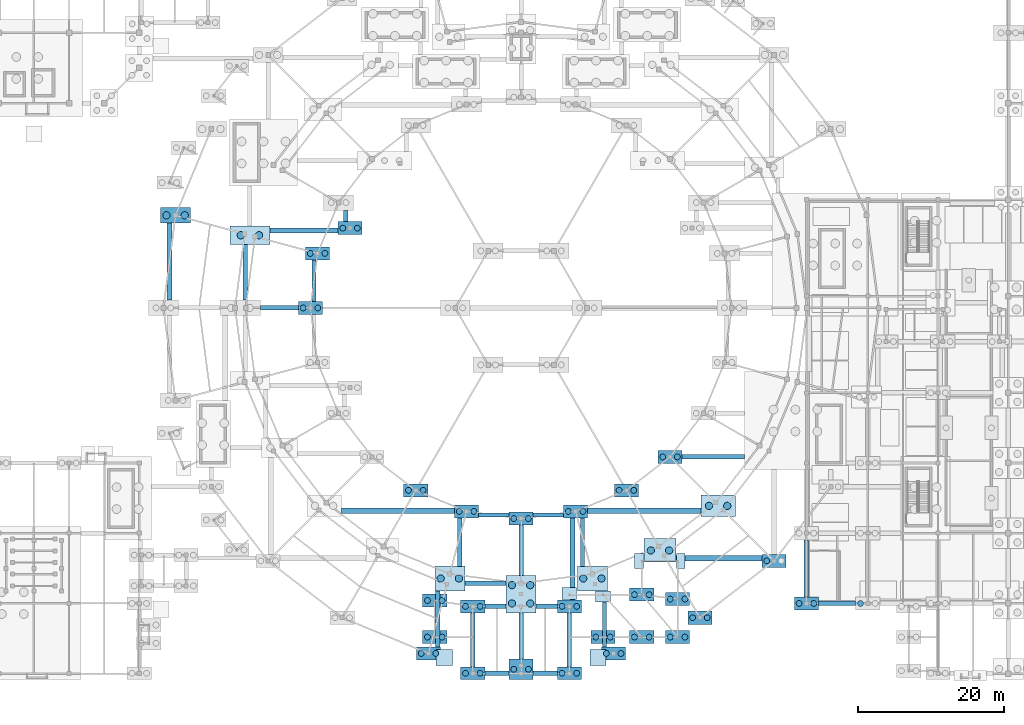
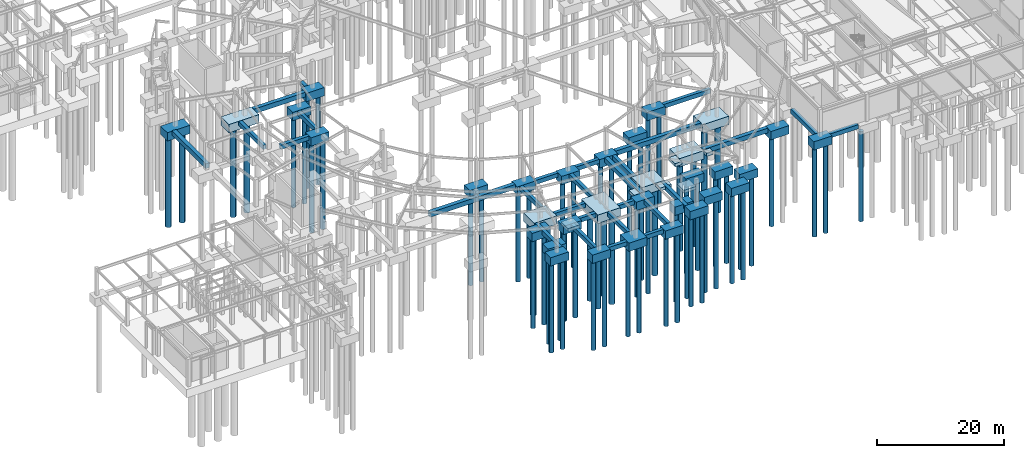
# One storey, part 2 of 55: 68 piles, 67 footings.
"""IFC4 building model written with IfcOpenShell, lengths in metres."""

from ifc_helpers import new_model, si_unit, direction, frame, origin, origin_2d, place, context, subcontext, project, spatial, rectangle, circle, extrude, material, material_profile, profile_set, type_object, element, save


model = new_model("IFC4")

# Units and contexts
model_context = context("Model", 3, precision=1e-05, world=origin(), true_north=direction((0.0, 1.0)))
body_context = subcontext(model_context, "Body", "Model", "MODEL_VIEW")
ifc_project = project(units=[si_unit("LENGTHUNIT", "METRE"), si_unit("AREAUNIT", "SQUARE_METRE"), si_unit("VOLUMEUNIT", "CUBIC_METRE"), si_unit("PLANEANGLEUNIT", "RADIAN"), si_unit("MASSUNIT", "GRAM", prefix="KILO")], contexts=[model_context])

# Site, building, storey
site_placement = place(None, origin())
site = spatial("IfcSite", under=ifc_project, at=site_placement, CompositionType="ELEMENT")
building_placement = place(site_placement, origin())
building = spatial("IfcBuilding", under=site, at=building_placement, Name="Almandine Court Research Institute", CompositionType="ELEMENT")
storey_placement = place(building_placement, frame((0.0, 0.0, -5.25)))
storey = spatial("IfcBuildingStorey", under=building, at=storey_placement, Name="B1", CompositionType="ELEMENT", Elevation=-5.25)

# Footings
ifc_material = material(Name="Concrete C35/45", Category="concrete")
footing_type_1 = type_object("IfcFootingType", Name="Cap-PC-03", PredefinedType="PILE_CAP", material=ifc_material)
for number, where, z_axis, x_axis, name in (
    (1, (80.39990234375, 6.050048828125, -1.60009765625), (0.0, 0.0, 1.0), (1.0, 0.0, 0.0), "Reinforced Concrete Pile Cap 006"),
    (2, (93.60009765625, 6.050048828125, -1.60009765625), (0.0, 0.0, 1.0), (1.0, 0.0, 0.0), "Reinforced Concrete Pile Cap 008"),
):
    element("IfcFooting", number, at=place(storey_placement, frame(where, z_axis=z_axis, x_axis=x_axis)), inside=storey, type_object=footing_type_1, Name=name, PredefinedType="PILE_CAP", context=body_context, shape_type="SweptSolid", body=[
        extrude(rectangle(XDim=3.300048828125, YDim=1.699951171875, at=origin_2d()), origin(), (0.0, 0.0, 1.0), 1.60009765625),
    ])
footing_type_2 = type_object("IfcFootingType", Name="Cap-PC-04", PredefinedType="PILE_CAP", material=ifc_material)
footing_1_placement = place(storey_placement, frame((87.0, 6.60009765625, -1.60009765625), z_axis=(0.0, 0.0, 1.0), x_axis=(1.0, 0.0, 0.0)))
element("IfcFooting", 3, at=footing_1_placement, inside=storey, type_object=footing_type_2, Name="Reinforced Concrete Pile Cap 007", PredefinedType="PILE_CAP", context=body_context, shape_type="SweptSolid", body=[
    extrude(rectangle(XDim=3.300048828125, YDim=2.800048828125, at=origin_2d()), origin(), (0.0, 0.0, 1.0), 1.60009765625),
])
footing_type_3 = type_object("IfcFootingType", Name="Cap-PC-05", PredefinedType="PILE_CAP", material=ifc_material)
for number, where, z_axis, x_axis, name in (
    (4, (74.343994140625, 8.76611328125, -1.60009765625), (0.0, 0.0, 1.0), (1.0, 0.0, 0.0), "Reinforced Concrete Pile Cap 010"),
    (5, (99.656005859375, 8.76611328125, -1.60009765625), (0.0, 0.0, 1.0), (1.0, 0.0, 0.0), "Reinforced Concrete Pile Cap 011"),
    (6, (111.449951171875, 13.65087890625, -1.60009765625), (0.0, 0.0, 1.0), (1.0, 0.0, 0.0), "Reinforced Concrete Pile Cap 013"),
    (7, (80.39990234375, 15.199951171875, -1.60009765625), (0.0, 0.0, 1.0), (1.0, 0.0, 0.0), "Reinforced Concrete Pile Cap 017"),
    (8, (93.60009765625, 15.199951171875, -1.60009765625), (0.0, 0.0, 1.0), (1.0, 0.0, 0.0), "Reinforced Concrete Pile Cap 019"),
    (9, (126.0, 15.60009765625, -1.60009765625), (0.0, 0.0, 1.0), (1.0, 0.0, 0.0), "Reinforced Concrete Pile Cap 021"),
    (10, (121.577880859375, 21.422119140625, -1.60009765625), (0.0, 0.0, 1.0), (1.0, 0.0, 0.0), "Reinforced Concrete Pile Cap 029"),
    (11, (87.0, 27.199951171875, -1.60009765625), (0.0, 0.0, 1.0), (1.0, 0.0, 0.0), "Reinforced Concrete Pile Cap 040"),
    (12, (79.5458984375, 28.180908203125, -1.60009765625), (0.0, 0.0, 1.0), (1.0, 0.0, 0.0), "Reinforced Concrete Pile Cap 041"),
    (13, (94.4541015625, 28.180908203125, -1.60009765625), (0.0, 0.0, 1.0), (1.0, 0.0, 0.0), "Reinforced Concrete Pile Cap 042"),
    (14, (72.60009765625, 31.05810546875, -1.60009765625), (0.0, 0.0, 1.0), (1.0, 0.0, 0.0), "Reinforced Concrete Pile Cap 045"),
    (15, (101.39990234375, 31.05810546875, -1.60009765625), (0.0, 0.0, 1.0), (1.0, 0.0, 0.0), "Reinforced Concrete Pile Cap 046"),
    (16, (107.364990234375, 35.635009765625, -1.60009765625), (0.0, 0.0, 1.0), (1.0, 0.0, 0.0), "Reinforced Concrete Pile Cap 058"),
    (17, (58.199951171875, 56.0, -1.60009765625), (0.0, 0.0, 1.0), (1.0, 0.0, 0.0), "Reinforced Concrete Pile Cap 085"),
    (18, (59.180908203125, 63.4541015625, -1.60009765625), (0.0, 0.0, 1.0), (1.0, 0.0, 0.0), "Reinforced Concrete Pile Cap 089"),
    (19, (63.616943359375, 66.904052734375, -1.60009765625), (0.0, 0.0, 1.0), (1.0, 0.0, 0.0), "Reinforced Concrete Pile Cap 093"),
):
    element("IfcFooting", number, at=place(storey_placement, frame(where, z_axis=z_axis, x_axis=x_axis)), inside=storey, type_object=footing_type_3, Name=name, PredefinedType="PILE_CAP", context=body_context, shape_type="SweptSolid", body=[
        extrude(rectangle(XDim=3.300048828125, YDim=1.800048828125, at=origin_2d()), origin(), (0.0, 0.0, 1.0), 1.60009765625),
    ])
footing_type_4 = type_object("IfcFootingType", Name="Cap-PC-08", PredefinedType="PILE_CAP", material=ifc_material)
footing_2_placement = place(storey_placement, frame((87.0, 16.85009765625, -1.60009765625), z_axis=(0.0, 0.0, 1.0), x_axis=(1.0, 0.0, 0.0)))
element("IfcFooting", 20, at=footing_2_placement, inside=storey, type_object=footing_type_4, Name="Reinforced Concrete Pile Cap 018", PredefinedType="PILE_CAP", context=body_context, shape_type="SweptSolid", body=[
    extrude(rectangle(XDim=4.10009765625, YDim=5.10009765625, at=origin_2d()), origin(), (0.0, 0.0, 1.0), 1.60009765625),
])
footing_type_5 = type_object("IfcFootingType", Name="Cap-PC-09", PredefinedType="PILE_CAP", material=ifc_material)
for number, where, z_axis, x_axis, name in (
    (21, (77.2548828125, 19.008056640625, -1.60009765625), (0.0, 0.0, 1.0), (1.0, 0.0, 0.0), "Reinforced Concrete Pile Cap 026"),
    (22, (96.7451171875, 19.008056640625, -1.60009765625), (0.0, 0.0, 1.0), (1.0, 0.0, 0.0), "Reinforced Concrete Pile Cap 027"),
):
    element("IfcFooting", number, at=place(storey_placement, frame(where, z_axis=z_axis, x_axis=x_axis)), inside=storey, type_object=footing_type_5, Name=name, PredefinedType="PILE_CAP", context=body_context, shape_type="SweptSolid", body=[
        extrude(rectangle(XDim=4.10009765625, YDim=3.35107421875, at=origin_2d()), origin(), (0.0, 0.0, 1.0), 1.60009765625),
    ])
footing_type_6 = type_object("IfcFootingType", Name="Cap-PC-10", PredefinedType="PILE_CAP", material=ifc_material)
footing_3_placement = place(storey_placement, frame((105.988037109375, 22.841064453125, -1.60009765625), z_axis=(0.0, 0.0, 1.0), x_axis=(1.0, 0.0, 0.0)))
element("IfcFooting", 23, at=footing_3_placement, inside=storey, type_object=footing_type_6, Name="Reinforced Concrete Pile Cap 031", PredefinedType="PILE_CAP", context=body_context, shape_type="SweptSolid", body=[
    extrude(rectangle(XDim=4.425048828125, YDim=3.2060546875, at=origin_2d()), origin(), (0.0, 0.0, 1.0), 1.60009765625),
])
footing_type_7 = type_object("IfcFootingType", Name="Cap-PC-13", PredefinedType="PILE_CAP", material=ifc_material)
footing_4_placement = place(storey_placement, frame((113.93505859375, 28.93994140625, -1.60009765625), z_axis=(0.0, 0.0, 1.0), x_axis=(1.0, 0.0, 0.0)))
element("IfcFooting", 24, at=footing_4_placement, inside=storey, type_object=footing_type_7, Name="Reinforced Concrete Pile Cap 044", PredefinedType="PILE_CAP", context=body_context, shape_type="SweptSolid", body=[
    extrude(rectangle(XDim=4.72509765625, YDim=2.97509765625, at=origin_2d()), origin(), (0.0, 0.0, 1.0), 1.60009765625),
])
footing_type_8 = type_object("IfcFootingType", Name="Cap-PC-21", PredefinedType="PILE_CAP", material=ifc_material)
footing_5_placement = place(storey_placement, frame((49.93310546875, 65.93310546875, -1.60009765625), z_axis=(0.0, 0.0, 1.0), x_axis=(1.0, 0.0, 0.0)))
element("IfcFooting", 25, at=footing_5_placement, inside=storey, type_object=footing_type_8, Name="Reinforced Concrete Pile Cap 092", PredefinedType="PILE_CAP", context=body_context, shape_type="SweptSolid", body=[
    extrude(rectangle(XDim=5.5009765625, YDim=2.47509765625, at=origin_2d()), origin(), (0.0, 0.0, 1.0), 1.60009765625),
])
footing_type_9 = type_object("IfcFootingType", Name="Cap-PC-27", PredefinedType="PILE_CAP", material=ifc_material)
footing_6_placement = place(storey_placement, frame((39.76611328125, 68.656005859375, -1.60009765625), z_axis=(0.0, 0.0, 1.0), x_axis=(1.0, 0.0, 0.0)))
element("IfcFooting", 26, at=footing_6_placement, inside=storey, type_object=footing_type_9, Name="Reinforced Concrete Pile Cap 095", PredefinedType="PILE_CAP", context=body_context, shape_type="SweptSolid", body=[
    extrude(rectangle(XDim=4.10009765625, YDim=2.10009765625, at=origin_2d()), origin(), (0.0, 0.0, 1.0), 1.60009765625),
])
footing_type_10 = type_object("IfcFootingType", Name="Cap-PC-S01", PredefinedType="PILE_CAP", material=ifc_material)
for number, where, z_axis, x_axis, name in (
    (27, (103.5, 16.800048828125, -1.60009765625), (0.0, 0.0, 1.0), (1.0, 0.0, 0.0), "Supplemental Threshold Pile Cap 001"),
    (28, (75.199951171875, 11.0, -1.60009765625), (0.0, 0.0, 1.0), (1.0, 0.0, 0.0), "Supplemental Threshold Pile Cap 009"),
    (29, (75.199951171875, 16.0, -1.60009765625), (0.0, 0.0, 1.0), (1.0, 0.0, 0.0), "Supplemental Threshold Pile Cap 010"),
    (30, (98.199951171875, 11.0, -1.60009765625), (0.0, 0.0, 1.0), (1.0, 0.0, 0.0), "Supplemental Threshold Pile Cap 011"),
    (31, (103.5, 11.0, -1.60009765625), (0.0, 0.0, 1.0), (1.0, 0.0, 0.0), "Supplemental Threshold Pile Cap 012"),
    (32, (108.39990234375, 11.0, -1.60009765625), (0.0, 0.0, 1.0), (1.0, 0.0, 0.0), "Supplemental Threshold Pile Cap 013"),
    (33, (108.39990234375, 16.199951171875, -1.60009765625), (0.0, 0.0, 1.0), (1.0, 0.0, 0.0), "Supplemental Threshold Pile Cap 014"),
):
    element("IfcFooting", number, at=place(storey_placement, frame(where, z_axis=z_axis, x_axis=x_axis)), inside=storey, type_object=footing_type_10, Name=name, PredefinedType="PILE_CAP", context=body_context, shape_type="SweptSolid", body=[
        extrude(rectangle(XDim=3.300048828125, YDim=1.800048828125, at=origin_2d()), origin(), (0.0, 0.0, 1.0), 1.60009765625),
    ])
footing_type_11 = type_object("IfcFootingType", Name="Pad-PF1", PredefinedType="PAD_FOOTING", material=ifc_material)
for number, where, z_axis, x_axis, name in (
    (34, (76.5, 8.199951171875, 4.5), (0.0, 0.0, 1.0), (1.0, 0.0, 0.0), "Accessible Ramp Base Pad Footing 1"),
    (35, (97.5, 8.199951171875, 4.5), (0.0, 0.0, 1.0), (1.0, 0.0, 0.0), "Accessible Ramp Base Pad Footing 2"),
):
    element("IfcFooting", number, at=place(storey_placement, frame(where, z_axis=z_axis, x_axis=x_axis)), inside=storey, type_object=footing_type_11, Name=name, PredefinedType="PAD_FOOTING", context=body_context, shape_type="SweptSolid", body=[
        extrude(rectangle(XDim=2.199951171875, YDim=2.199951171875, at=origin_2d()), origin(), (0.0, 0.0, 1.0), 0.60009765625),
    ])
footing_7_placement = place(storey_placement, frame((93.60009765625, 16.965087890625, -0.60009765625), z_axis=(0.0, 0.0, 1.0), x_axis=(1.0, 0.0, 0.0)))
element("IfcFooting", 36, at=footing_7_placement, inside=storey, type_object=footing_type_11, Name="Reinforced Concrete Pad Footing PAD-PSH-E-IN0", PredefinedType="PAD_FOOTING", context=body_context, shape_type="SweptSolid", body=[
    extrude(rectangle(XDim=2.0, YDim=1.669921875, at=origin_2d()), origin(), (0.0, 0.0, 1.0), 0.60009765625),
])
footing_8_placement = place(storey_placement, frame((98.199951171875, 16.551025390625, -0.60009765625), z_axis=(0.0, 0.0, 1.0), x_axis=(1.0, 0.0, 0.0)))
element("IfcFooting", 37, at=footing_8_placement, inside=storey, type_object=footing_type_11, Name="Reinforced Concrete Pad Footing PAD-PSH-E-IN1", PredefinedType="PAD_FOOTING", context=body_context, shape_type="SweptSolid", body=[
    extrude(rectangle(XDim=2.0, YDim=1.501953125, at=origin_2d()), origin(), (0.0, 0.0, 1.0), 0.60009765625),
])
footing_9_placement = place(storey_placement, frame((103.123046875, 21.39990234375, -0.60009765625), z_axis=(0.0, 0.0, 1.0), x_axis=(1.0, 0.0, 0.0)))
element("IfcFooting", 38, at=footing_9_placement, inside=storey, type_object=footing_type_11, Name="Reinforced Concrete Pad Footing PAD-PSH-E-IN3", PredefinedType="PAD_FOOTING", context=body_context, shape_type="SweptSolid", body=[
    extrude(rectangle(XDim=1.2451171875, YDim=2.0, at=origin_2d()), origin(), (0.0, 0.0, 1.0), 0.60009765625),
])
footing_10_placement = place(storey_placement, frame((108.81494140625, 21.39990234375, -0.60009765625), z_axis=(0.0, 0.0, 1.0), x_axis=(1.0, 0.0, 0.0)))
element("IfcFooting", 39, at=footing_10_placement, inside=storey, type_object=footing_type_11, Name="Reinforced Concrete Pad Footing PAD-PSH-E-C5", PredefinedType="PAD_FOOTING", context=body_context, shape_type="SweptSolid", body=[
    extrude(rectangle(XDim=1.1689453125, YDim=2.0, at=origin_2d()), origin(), (0.0, 0.0, 1.0), 0.60009765625),
])

# Piles
ifc_material_profile_1 = material_profile(ifc_material, circle(Radius=0.5, at=origin_2d()), Name="BORED PILE D1000")
ifc_profile_set_1 = profile_set([ifc_material_profile_1], Name="Concrete C35/45")
pile_type_1 = type_object("IfcPileType", Name="Pile-BP-1000", PredefinedType="BORED", material=ifc_profile_set_1)
for number, where, z_axis, x_axis, name in (
    (40, (85.75, 15.60009765625, -1.5), (0.0, 0.0, -1.0), (1.0, 0.0, 0.0), "Bored Pile 018-1"),
    (41, (85.75, 18.10009765625, -1.5), (0.0, 0.0, -1.0), (1.0, 0.0, 0.0), "Bored Pile 018-2"),
    (42, (88.25, 15.60009765625, -1.5), (0.0, 0.0, -1.0), (1.0, 0.0, 0.0), "Bored Pile 018-3"),
    (43, (88.25, 18.10009765625, -1.5), (0.0, 0.0, -1.0), (1.0, 0.0, 0.0), "Bored Pile 018-4"),
    (44, (76.0048828125, 19.008056640625, -1.5), (0.0, 0.0, -1.0), (1.0, 0.0, 0.0), "Bored Pile 026-1"),
    (45, (78.5048828125, 19.008056640625, -1.5), (0.0, 0.0, -1.0), (1.0, 0.0, 0.0), "Bored Pile 026-2"),
    (46, (95.4951171875, 19.008056640625, -1.5), (0.0, 0.0, -1.0), (1.0, 0.0, 0.0), "Bored Pile 027-1"),
    (47, (97.9951171875, 19.008056640625, -1.5), (0.0, 0.0, -1.0), (1.0, 0.0, 0.0), "Bored Pile 027-2"),
    (48, (104.738037109375, 22.841064453125, -1.5), (0.0, 0.0, -1.0), (1.0, 0.0, 0.0), "Bored Pile 031-1"),
    (49, (107.238037109375, 22.841064453125, -1.5), (0.0, 0.0, -1.0), (1.0, 0.0, 0.0), "Bored Pile 031-2"),
    (50, (112.68505859375, 28.93994140625, -1.5), (0.0, 0.0, -1.0), (1.0, 0.0, 0.0), "Bored Pile 044-1"),
    (51, (115.18505859375, 28.93994140625, -1.5), (0.0, 0.0, -1.0), (1.0, 0.0, 0.0), "Bored Pile 044-2"),
    (52, (48.68310546875, 65.93310546875, -1.5), (0.0, 0.0, -1.0), (1.0, 0.0, 0.0), "Bored Pile 092-1"),
    (53, (51.18310546875, 65.93310546875, -1.5), (0.0, 0.0, -1.0), (1.0, 0.0, 0.0), "Bored Pile 092-2"),
    (54, (38.51611328125, 68.656005859375, -1.5), (0.0, 0.0, -1.0), (1.0, 0.0, 0.0), "Bored Pile 095-1"),
    (55, (41.01611328125, 68.656005859375, -1.5), (0.0, 0.0, -1.0), (1.0, 0.0, 0.0), "Bored Pile 095-2"),
):
    element("IfcPile", number, at=place(storey_placement, frame(where, z_axis=z_axis, x_axis=x_axis)), inside=storey, type_object=pile_type_1, Name=name, PredefinedType="BORED", context=body_context, shape_type="SweptSolid", body=[
        extrude(circle(Radius=0.5, at=origin_2d()), origin(), (0.0, 0.0, 1.0), 17.25),
    ])
ifc_material_profile_2 = material_profile(ifc_material, circle(Radius=0.39990234375, at=origin_2d()), Name="BORED PILE D800")
ifc_profile_set_2 = profile_set([ifc_material_profile_2], Name="Concrete C35/45")
pile_type_2 = type_object("IfcPileType", Name="Pile-BP-800", PredefinedType="BORED", material=ifc_profile_set_2)
for number, where, z_axis, x_axis, name in (
    (56, (79.39990234375, 6.050048828125, -1.5), (0.0, 0.0, -1.0), (1.0, 0.0, 0.0), "Bored Pile 006-1"),
    (57, (81.39990234375, 6.050048828125, -1.5), (0.0, 0.0, -1.0), (1.0, 0.0, 0.0), "Bored Pile 006-2"),
    (58, (86.0, 6.60009765625, -1.5), (0.0, 0.0, -1.0), (1.0, 0.0, 0.0), "Bored Pile 007-1"),
    (59, (88.0, 6.60009765625, -1.5), (0.0, 0.0, -1.0), (1.0, 0.0, 0.0), "Bored Pile 007-2"),
    (60, (92.60009765625, 6.050048828125, -1.5), (0.0, 0.0, -1.0), (1.0, 0.0, 0.0), "Bored Pile 008-1"),
    (61, (94.60009765625, 6.050048828125, -1.5), (0.0, 0.0, -1.0), (1.0, 0.0, 0.0), "Bored Pile 008-2"),
    (62, (73.343994140625, 8.76611328125, -1.5), (0.0, 0.0, -1.0), (1.0, 0.0, 0.0), "Bored Pile 010-1"),
    (63, (75.343994140625, 8.76611328125, -1.5), (0.0, 0.0, -1.0), (1.0, 0.0, 0.0), "Bored Pile 010-2"),
    (64, (98.656005859375, 8.76611328125, -1.5), (0.0, 0.0, -1.0), (1.0, 0.0, 0.0), "Bored Pile 011-1"),
    (65, (100.656005859375, 8.76611328125, -1.5), (0.0, 0.0, -1.0), (1.0, 0.0, 0.0), "Bored Pile 011-2"),
    (66, (110.449951171875, 13.65087890625, -1.5), (0.0, 0.0, -1.0), (1.0, 0.0, 0.0), "Bored Pile 013-1"),
    (67, (112.449951171875, 13.65087890625, -1.5), (0.0, 0.0, -1.0), (1.0, 0.0, 0.0), "Bored Pile 013-2"),
    (68, (79.39990234375, 15.199951171875, -1.5), (0.0, 0.0, -1.0), (1.0, 0.0, 0.0), "Bored Pile 017-1"),
    (69, (81.39990234375, 15.199951171875, -1.5), (0.0, 0.0, -1.0), (1.0, 0.0, 0.0), "Bored Pile 017-2"),
    (70, (92.60009765625, 15.199951171875, -1.5), (0.0, 0.0, -1.0), (1.0, 0.0, 0.0), "Bored Pile 019-1"),
    (71, (94.60009765625, 15.199951171875, -1.5), (0.0, 0.0, -1.0), (1.0, 0.0, 0.0), "Bored Pile 019-2"),
    (72, (125.0, 15.60009765625, -1.5), (0.0, 0.0, -1.0), (1.0, 0.0, 0.0), "Bored Pile 021-1"),
    (73, (127.0, 15.60009765625, -1.5), (0.0, 0.0, -1.0), (1.0, 0.0, 0.0), "Bored Pile 021-2"),
    (74, (133.39990234375, 15.60009765625, -1.5), (0.0, 0.0, -1.0), (1.0, 0.0, 0.0), "Bored Pile 022-1"),
    (75, (120.577880859375, 21.422119140625, -1.5), (0.0, 0.0, -1.0), (1.0, 0.0, 0.0), "Bored Pile 029-1"),
    (76, (86.0, 27.199951171875, -1.5), (0.0, 0.0, -1.0), (1.0, 0.0, 0.0), "Bored Pile 040-1"),
    (77, (88.0, 27.199951171875, -1.5), (0.0, 0.0, -1.0), (1.0, 0.0, 0.0), "Bored Pile 040-2"),
    (78, (78.5458984375, 28.180908203125, -1.5), (0.0, 0.0, -1.0), (1.0, 0.0, 0.0), "Bored Pile 041-1"),
    (79, (80.5458984375, 28.180908203125, -1.5), (0.0, 0.0, -1.0), (1.0, 0.0, 0.0), "Bored Pile 041-2"),
    (80, (93.4541015625, 28.180908203125, -1.5), (0.0, 0.0, -1.0), (1.0, 0.0, 0.0), "Bored Pile 042-1"),
    (81, (95.4541015625, 28.180908203125, -1.5), (0.0, 0.0, -1.0), (1.0, 0.0, 0.0), "Bored Pile 042-2"),
    (82, (71.60009765625, 31.05810546875, -1.5), (0.0, 0.0, -1.0), (1.0, 0.0, 0.0), "Bored Pile 045-1"),
    (83, (73.60009765625, 31.05810546875, -1.5), (0.0, 0.0, -1.0), (1.0, 0.0, 0.0), "Bored Pile 045-2"),
    (84, (100.39990234375, 31.05810546875, -1.5), (0.0, 0.0, -1.0), (1.0, 0.0, 0.0), "Bored Pile 046-1"),
    (85, (102.39990234375, 31.05810546875, -1.5), (0.0, 0.0, -1.0), (1.0, 0.0, 0.0), "Bored Pile 046-2"),
    (86, (106.364990234375, 35.635009765625, -1.5), (0.0, 0.0, -1.0), (1.0, 0.0, 0.0), "Bored Pile 058-1"),
    (87, (108.364990234375, 35.635009765625, -1.5), (0.0, 0.0, -1.0), (1.0, 0.0, 0.0), "Bored Pile 058-2"),
    (88, (57.199951171875, 56.0, -1.5), (0.0, 0.0, -1.0), (1.0, 0.0, 0.0), "Bored Pile 085-1"),
    (89, (59.199951171875, 56.0, -1.5), (0.0, 0.0, -1.0), (1.0, 0.0, 0.0), "Bored Pile 085-2"),
    (90, (58.180908203125, 63.4541015625, -1.5), (0.0, 0.0, -1.0), (1.0, 0.0, 0.0), "Bored Pile 089-1"),
    (91, (60.180908203125, 63.4541015625, -1.5), (0.0, 0.0, -1.0), (1.0, 0.0, 0.0), "Bored Pile 089-2"),
    (92, (62.616943359375, 66.904052734375, -1.5), (0.0, 0.0, -1.0), (1.0, 0.0, 0.0), "Bored Pile 093-1"),
    (93, (64.616943359375, 66.904052734375, -1.5), (0.0, 0.0, -1.0), (1.0, 0.0, 0.0), "Bored Pile 093-2"),
    (94, (102.5, 16.800048828125, -1.5), (0.0, 0.0, -1.0), (1.0, 0.0, 0.0), "Supplemental Bored Pile 001-1"),
    (95, (104.5, 16.800048828125, -1.5), (0.0, 0.0, -1.0), (1.0, 0.0, 0.0), "Supplemental Bored Pile 001-2"),
    (96, (74.199951171875, 11.0, -1.5), (0.0, 0.0, -1.0), (1.0, 0.0, 0.0), "Supplemental Bored Pile 009-1"),
    (97, (76.199951171875, 11.0, -1.5), (0.0, 0.0, -1.0), (1.0, 0.0, 0.0), "Supplemental Bored Pile 009-2"),
    (98, (74.199951171875, 16.0, -1.5), (0.0, 0.0, -1.0), (1.0, 0.0, 0.0), "Supplemental Bored Pile 010-1"),
    (99, (76.199951171875, 16.0, -1.5), (0.0, 0.0, -1.0), (1.0, 0.0, 0.0), "Supplemental Bored Pile 010-2"),
    (100, (97.199951171875, 11.0, -1.5), (0.0, 0.0, -1.0), (1.0, 0.0, 0.0), "Supplemental Bored Pile 011-1"),
    (101, (99.199951171875, 11.0, -1.5), (0.0, 0.0, -1.0), (1.0, 0.0, 0.0), "Supplemental Bored Pile 011-2"),
    (102, (102.5, 11.0, -1.5), (0.0, 0.0, -1.0), (1.0, 0.0, 0.0), "Supplemental Bored Pile 012-1"),
    (103, (104.5, 11.0, -1.5), (0.0, 0.0, -1.0), (1.0, 0.0, 0.0), "Supplemental Bored Pile 012-2"),
    (104, (107.39990234375, 11.0, -1.5), (0.0, 0.0, -1.0), (1.0, 0.0, 0.0), "Supplemental Bored Pile 013-1"),
    (105, (109.39990234375, 11.0, -1.5), (0.0, 0.0, -1.0), (1.0, 0.0, 0.0), "Supplemental Bored Pile 013-2"),
    (106, (107.39990234375, 16.199951171875, -1.5), (0.0, 0.0, -1.0), (1.0, 0.0, 0.0), "Supplemental Bored Pile 014-1"),
    (107, (109.39990234375, 16.199951171875, -1.5), (0.0, 0.0, -1.0), (1.0, 0.0, 0.0), "Supplemental Bored Pile 014-2"),
):
    element("IfcPile", number, at=place(storey_placement, frame(where, z_axis=z_axis, x_axis=x_axis)), inside=storey, type_object=pile_type_2, Name=name, PredefinedType="BORED", context=body_context, shape_type="SweptSolid", body=[
        extrude(circle(Radius=0.39990234375, at=origin_2d()), origin(), (0.0, 0.0, 1.0), 17.25),
    ])

# Footings
ifc_material_profile_3 = material_profile(ifc_material, rectangle(XDim=0.60009765625, YDim=0.800048828125, at=origin_2d()), Name="RC TIE 600x800")
ifc_profile_set_3 = profile_set([ifc_material_profile_3], Name="Concrete C35/45")
footing_type_12 = type_object("IfcFootingType", Name="TieBeam-TB1", PredefinedType="FOOTING_BEAM", material=ifc_profile_set_3)
footing_11_placement = place(storey_placement, frame((51.39990234375, 56.0, -0.39990234375), z_axis=(1.0, 0.0, 0.0), x_axis=(0.0, 1.0, 0.0)))
element("IfcFooting", 108, at=footing_11_placement, inside=storey, type_object=footing_type_12, Name="Seismic Foundation Tie Beam 024", PredefinedType="FOOTING_BEAM", context=body_context, shape_type="SweptSolid", body=[
    extrude(rectangle(XDim=0.60009765625, YDim=0.800048828125, at=origin_2d()), origin(), (0.0, 0.0, 1.0), 5.150146484375),
])
footing_12_placement = place(storey_placement, frame((79.304931640625, 18.365966796875, -0.39990234375), z_axis=(1.0, 0.0, 0.0), x_axis=(0.0, 1.0, 0.0)))
element("IfcFooting", 109, at=footing_12_placement, inside=storey, type_object=footing_type_12, Name="Seismic Foundation Tie Beam 037", PredefinedType="FOOTING_BEAM", context=body_context, shape_type="SweptSolid", body=[
    extrude(rectangle(XDim=0.60009765625, YDim=0.800048828125, at=origin_2d()), origin(), (0.0, 0.0, 1.0), 5.64501953125),
])
footing_13_placement = place(storey_placement, frame((81.196044921875, 27.69091796875, -0.39990234375), z_axis=(1.0, 0.0, 0.0), x_axis=(0.0, 1.0, 0.0)))
element("IfcFooting", 110, at=footing_13_placement, inside=storey, type_object=footing_type_12, Name="Seismic Foundation Tie Beam 039", PredefinedType="FOOTING_BEAM", context=body_context, shape_type="SweptSolid", body=[
    extrude(rectangle(XDim=0.60009765625, YDim=0.800048828125, at=origin_2d()), origin(), (0.0, 0.0, 1.0), 4.154052734375),
])
footing_14_placement = place(storey_placement, frame((82.050048828125, 6.050048828125, -0.39990234375), z_axis=(1.0, 0.0, 0.0), x_axis=(0.0, 1.0, 0.0)))
element("IfcFooting", 111, at=footing_14_placement, inside=storey, type_object=footing_type_12, Name="Seismic Foundation Tie Beam 041", PredefinedType="FOOTING_BEAM", context=body_context, shape_type="SweptSolid", body=[
    extrude(rectangle(XDim=0.60009765625, YDim=0.800048828125, at=origin_2d()), origin(), (0.0, 0.0, 1.0), 3.300048828125),
])
footing_15_placement = place(storey_placement, frame((82.050048828125, 15.199951171875, -0.39990234375), z_axis=(1.0, 0.0, 0.0), x_axis=(0.0, 1.0, 0.0)))
element("IfcFooting", 112, at=footing_15_placement, inside=storey, type_object=footing_type_12, Name="Seismic Foundation Tie Beam 042", PredefinedType="FOOTING_BEAM", context=body_context, shape_type="SweptSolid", body=[
    extrude(rectangle(XDim=0.60009765625, YDim=0.800048828125, at=origin_2d()), origin(), (0.0, 0.0, 1.0), 2.89990234375),
])
footing_16_placement = place(storey_placement, frame((88.64990234375, 6.050048828125, -0.39990234375), z_axis=(1.0, 0.0, 0.0), x_axis=(0.0, 1.0, 0.0)))
element("IfcFooting", 113, at=footing_16_placement, inside=storey, type_object=footing_type_12, Name="Seismic Foundation Tie Beam 045", PredefinedType="FOOTING_BEAM", context=body_context, shape_type="SweptSolid", body=[
    extrude(rectangle(XDim=0.60009765625, YDim=0.800048828125, at=origin_2d()), origin(), (0.0, 0.0, 1.0), 3.300048828125),
])
footing_17_placement = place(storey_placement, frame((89.050048828125, 15.199951171875, -0.39990234375), z_axis=(1.0, 0.0, 0.0), x_axis=(0.0, 1.0, 0.0)))
element("IfcFooting", 114, at=footing_17_placement, inside=storey, type_object=footing_type_12, Name="Seismic Foundation Tie Beam 046", PredefinedType="FOOTING_BEAM", context=body_context, shape_type="SweptSolid", body=[
    extrude(rectangle(XDim=0.60009765625, YDim=0.800048828125, at=origin_2d()), origin(), (0.0, 0.0, 1.0), 2.89990234375),
])
footing_18_placement = place(storey_placement, frame((88.64990234375, 27.69091796875, -0.39990234375), z_axis=(1.0, 0.0, 0.0), x_axis=(0.0, 1.0, 0.0)))
element("IfcFooting", 115, at=footing_18_placement, inside=storey, type_object=footing_type_12, Name="Seismic Foundation Tie Beam 047", PredefinedType="FOOTING_BEAM", context=body_context, shape_type="SweptSolid", body=[
    extrude(rectangle(XDim=0.60009765625, YDim=0.800048828125, at=origin_2d()), origin(), (0.0, 0.0, 1.0), 4.154052734375),
])
footing_19_placement = place(storey_placement, frame((109.014892578125, 35.635009765625, -0.39990234375), z_axis=(1.0, 0.0, 0.0), x_axis=(0.0, 1.0, 0.0)))
element("IfcFooting", 116, at=footing_19_placement, inside=storey, type_object=footing_type_12, Name="Seismic Foundation Tie Beam 058", PredefinedType="FOOTING_BEAM", context=body_context, shape_type="SweptSolid", body=[
    extrude(rectangle(XDim=0.60009765625, YDim=0.800048828125, at=origin_2d()), origin(), (0.0, 0.0, 1.0), 8.541015625),
])
footing_20_placement = place(storey_placement, frame((127.64990234375, 15.60009765625, -0.39990234375), z_axis=(1.0, 0.0, 0.0), x_axis=(0.0, 1.0, 0.0)))
element("IfcFooting", 117, at=footing_20_placement, inside=storey, type_object=footing_type_12, Name="Seismic Foundation Tie Beam 065", PredefinedType="FOOTING_BEAM", context=body_context, shape_type="SweptSolid", body=[
    extrude(rectangle(XDim=0.60009765625, YDim=0.800048828125, at=origin_2d()), origin(), (0.0, 0.0, 1.0), 5.10009765625),
])
for number, where, z_axis, x_axis, name in (
    (118, (80.39990234375, 6.89990234375, -0.39990234375), (0.0, 1.0, 0.0), (-1.0, 0.0, 0.0), "Seismic Foundation Tie Beam 107"),
    (119, (93.60009765625, 6.89990234375, -0.39990234375), (0.0, 1.0, 0.0), (-1.0, 0.0, 0.0), "Seismic Foundation Tie Beam 108"),
):
    element("IfcFooting", number, at=place(storey_placement, frame(where, z_axis=z_axis, x_axis=x_axis)), inside=storey, type_object=footing_type_12, Name=name, PredefinedType="FOOTING_BEAM", context=body_context, shape_type="SweptSolid", body=[
        extrude(rectangle(XDim=0.60009765625, YDim=0.800048828125, at=origin_2d()), origin(), (0.0, 0.0, 1.0), 7.400146484375),
    ])
footing_21_placement = place(storey_placement, frame((87.0, 8.0, -0.39990234375), z_axis=(0.0, 1.0, 0.0), x_axis=(-1.0, 0.0, 0.0)))
element("IfcFooting", 120, at=footing_21_placement, inside=storey, type_object=footing_type_12, Name="Seismic Foundation Tie Beam 110", PredefinedType="FOOTING_BEAM", context=body_context, shape_type="SweptSolid", body=[
    extrude(rectangle(XDim=0.60009765625, YDim=0.800048828125, at=origin_2d()), origin(), (0.0, 0.0, 1.0), 6.300048828125),
])
for number, where, z_axis, x_axis, name in (
    (121, (75.60009765625, 9.666015625, -0.39990234375), (0.0, 1.0, 0.0), (-1.0, 0.0, 0.0), "Seismic Foundation Tie Beam 114"),
    (122, (98.39990234375, 9.666015625, -0.39990234375), (0.0, 1.0, 0.0), (-1.0, 0.0, 0.0), "Seismic Foundation Tie Beam 115"),
):
    element("IfcFooting", number, at=place(storey_placement, frame(where, z_axis=z_axis, x_axis=x_axis)), inside=storey, type_object=footing_type_12, Name=name, PredefinedType="FOOTING_BEAM", context=body_context, shape_type="SweptSolid", body=[
        extrude(rectangle(XDim=0.60009765625, YDim=0.800048828125, at=origin_2d()), origin(), (0.0, 0.0, 1.0), 7.666015625),
    ])
footing_22_placement = place(storey_placement, frame((126.0, 16.5, -0.39990234375), z_axis=(0.0, 1.0, 0.0), x_axis=(-1.0, 0.0, 0.0)))
element("IfcFooting", 123, at=footing_22_placement, inside=storey, type_object=footing_type_12, Name="Seismic Foundation Tie Beam 119", PredefinedType="FOOTING_BEAM", context=body_context, shape_type="SweptSolid", body=[
    extrude(rectangle(XDim=0.60009765625, YDim=0.800048828125, at=origin_2d()), origin(), (0.0, 0.0, 1.0), 7.800048828125),
])
footing_23_placement = place(storey_placement, frame((87.0, 19.39990234375, -0.39990234375), z_axis=(0.0, 1.0, 0.0), x_axis=(-1.0, 0.0, 0.0)))
element("IfcFooting", 124, at=footing_23_placement, inside=storey, type_object=footing_type_12, Name="Seismic Foundation Tie Beam 123", PredefinedType="FOOTING_BEAM", context=body_context, shape_type="SweptSolid", body=[
    extrude(rectangle(XDim=0.60009765625, YDim=0.800048828125, at=origin_2d()), origin(), (0.0, 0.0, 1.0), 6.900146484375),
])
for number, where, z_axis, x_axis, name in (
    (125, (78.60107421875, 20.68310546875, -0.39990234375), (0.0, 1.0, 0.0), (-1.0, 0.0, 0.0), "Seismic Foundation Tie Beam 126"),
    (126, (95.39892578125, 20.68310546875, -0.39990234375), (0.0, 1.0, 0.0), (-1.0, 0.0, 0.0), "Seismic Foundation Tie Beam 127"),
):
    element("IfcFooting", number, at=place(storey_placement, frame(where, z_axis=z_axis, x_axis=x_axis)), inside=storey, type_object=footing_type_12, Name=name, PredefinedType="FOOTING_BEAM", context=body_context, shape_type="SweptSolid", body=[
        extrude(rectangle(XDim=0.60009765625, YDim=0.800048828125, at=origin_2d()), origin(), (0.0, 0.0, 1.0), 6.597900390625),
    ])
footing_24_placement = place(storey_placement, frame((49.291015625, 57.050048828125, -0.39990234375), z_axis=(0.0, 1.0, 0.0), x_axis=(-1.0, 0.0, 0.0)))
element("IfcFooting", 127, at=footing_24_placement, inside=storey, type_object=footing_type_12, Name="Seismic Foundation Tie Beam 157", PredefinedType="FOOTING_BEAM", context=body_context, shape_type="SweptSolid", body=[
    extrude(rectangle(XDim=0.60009765625, YDim=0.800048828125, at=origin_2d()), origin(), (0.0, 0.0, 1.0), 7.64501953125),
])
footing_25_placement = place(storey_placement, frame((58.69091796875, 56.89990234375, -0.39990234375), z_axis=(0.0, 1.0, 0.0), x_axis=(-1.0, 0.0, 0.0)))
element("IfcFooting", 128, at=footing_25_placement, inside=storey, type_object=footing_type_12, Name="Seismic Foundation Tie Beam 159", PredefinedType="FOOTING_BEAM", context=body_context, shape_type="SweptSolid", body=[
    extrude(rectangle(XDim=0.60009765625, YDim=0.800048828125, at=origin_2d()), origin(), (0.0, 0.0, 1.0), 5.654052734375),
])
footing_26_placement = place(storey_placement, frame((63.0380859375, 67.803955078125, -0.39990234375), z_axis=(0.0, 1.0, 0.0), x_axis=(-1.0, 0.0, 0.0)))
element("IfcFooting", 129, at=footing_26_placement, inside=storey, type_object=footing_type_12, Name="Seismic Foundation Tie Beam 165", PredefinedType="FOOTING_BEAM", context=body_context, shape_type="SweptSolid", body=[
    extrude(rectangle(XDim=0.60009765625, YDim=0.800048828125, at=origin_2d()), origin(), (0.0, 0.0, 1.0), 1.546142578125),
])
ifc_material_profile_4 = material_profile(ifc_material, rectangle(XDim=0.699951171875, YDim=0.89990234375, at=origin_2d()), Name="RC TIE 700x900")
ifc_profile_set_4 = profile_set([ifc_material_profile_4], Name="Concrete C35/45")
footing_type_13 = type_object("IfcFootingType", Name="TieBeam-TB2", PredefinedType="FOOTING_BEAM", material=ifc_profile_set_4)
footing_27_placement = place(storey_placement, frame((52.68310546875, 66.5869140625, -0.35009765625), z_axis=(1.0, 0.0, 0.0), x_axis=(0.0, 1.0, 0.0)))
element("IfcFooting", 130, at=footing_27_placement, inside=storey, type_object=footing_type_13, Name="Seismic Foundation Tie Beam 026", PredefinedType="FOOTING_BEAM", context=body_context, shape_type="SweptSolid", body=[
    extrude(rectangle(XDim=0.699951171875, YDim=0.89990234375, at=origin_2d()), origin(), (0.0, 0.0, 1.0), 9.283935546875),
])
for number, where, z_axis, x_axis, name in (
    (131, (62.427001953125, 28.26708984375, -0.35009765625), (1.0, 0.0, 0.0), (0.0, 1.0, 0.0), "Seismic Foundation Tie Beam 032"),
    (132, (96.10400390625, 28.26708984375, -0.35009765625), (1.0, 0.0, 0.0), (0.0, 1.0, 0.0), "Seismic Foundation Tie Beam 051"),
):
    element("IfcFooting", number, at=place(storey_placement, frame(where, z_axis=z_axis, x_axis=x_axis)), inside=storey, type_object=footing_type_13, Name=name, PredefinedType="FOOTING_BEAM", context=body_context, shape_type="SweptSolid", body=[
        extrude(rectangle(XDim=0.699951171875, YDim=0.89990234375, at=origin_2d()), origin(), (0.0, 0.0, 1.0), 15.468994140625),
    ])
footing_28_placement = place(storey_placement, frame((108.199951171875, 21.780029296875, -0.35009765625), z_axis=(1.0, 0.0, 0.0), x_axis=(0.0, 1.0, 0.0)))
element("IfcFooting", 133, at=footing_28_placement, inside=storey, type_object=footing_type_13, Name="Seismic Foundation Tie Beam 056", PredefinedType="FOOTING_BEAM", context=body_context, shape_type="SweptSolid", body=[
    extrude(rectangle(XDim=0.699951171875, YDim=0.89990234375, at=origin_2d()), origin(), (0.0, 0.0, 1.0), 11.72802734375),
])
footing_29_placement = place(storey_placement, frame((94.027099609375, 16.10009765625, -0.35009765625), z_axis=(0.0, 1.0, 0.0), x_axis=(-1.0, 0.0, 0.0)))
element("IfcFooting", 134, at=footing_29_placement, inside=storey, type_object=footing_type_13, Name="Seismic Foundation Tie Beam 116", PredefinedType="FOOTING_BEAM", context=body_context, shape_type="SweptSolid", body=[
    extrude(rectangle(XDim=0.699951171875, YDim=0.89990234375, at=origin_2d()), origin(), (0.0, 0.0, 1.0), 11.180908203125),
])
footing_30_placement = place(storey_placement, frame((38.93310546875, 57.050048828125, -0.35009765625), z_axis=(0.0, 1.0, 0.0), x_axis=(-1.0, 0.0, 0.0)))
element("IfcFooting", 135, at=footing_30_placement, inside=storey, type_object=footing_type_13, Name="Seismic Foundation Tie Beam 156", PredefinedType="FOOTING_BEAM", context=body_context, shape_type="SweptSolid", body=[
    extrude(rectangle(XDim=0.699951171875, YDim=0.89990234375, at=origin_2d()), origin(), (0.0, 0.0, 1.0), 10.555908203125),
])

save(model, "model.ifc")
